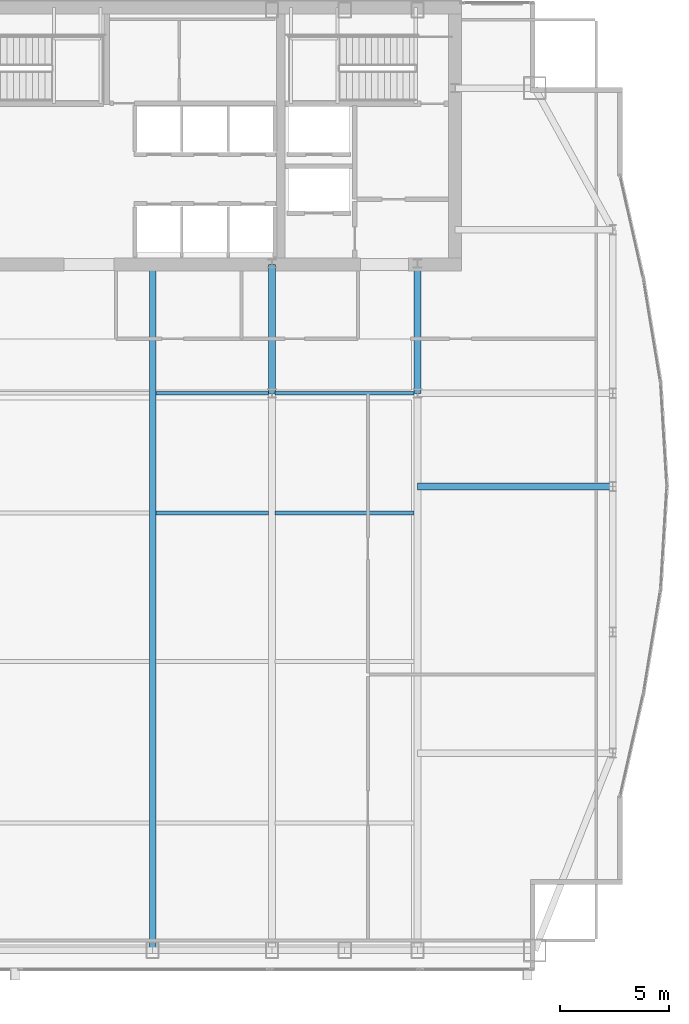
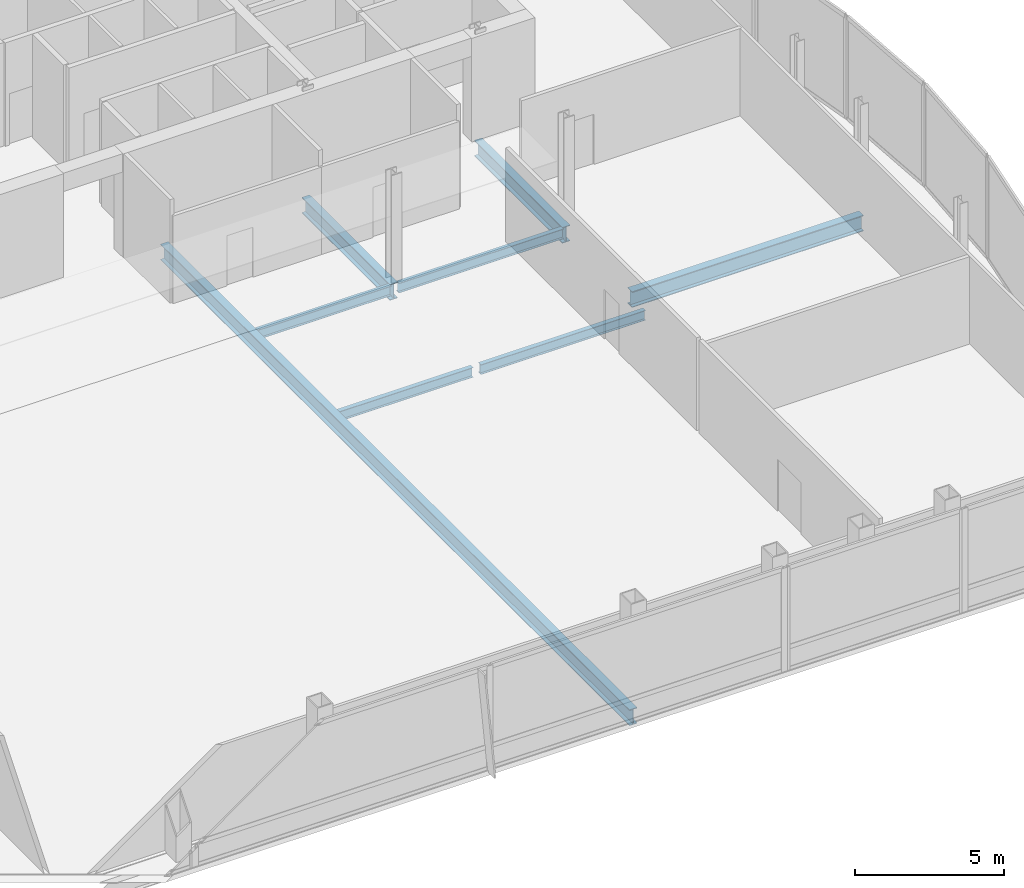
# One storey, part 17 of 28: 8 beams.
"""IFC4 building model written with IfcOpenShell, lengths in metres."""

import ifcopenshell
import ifcopenshell.guid

model = None  # the IFC model being written
_history = None  # IfcOwnerHistory: only IFC2X3 demands one
_inside = {}  # id of a spatial element -> (the spatial element, [elements in it])
_under = {}  # id of a project, library or spatial element -> (it, [spatial elements below it])
_declared = {}  # id of a project -> (the project, [libraries it declares])
_typed = {}  # id of a type object -> (the type object, [elements of that type])
_made_of = {}  # id of a material, layer set ... -> (it, [elements and type objects made of it])


def new_model(schema):
    """Start an empty IFC model of exactly this schema.

    Asked for "IFC4X3", IfcOpenShell would pick the latest addendum, in which some entities
    have other attributes; the version numbers below select the first issue.
    IFC2X3 requires an IfcOwnerHistory on every rooted entity: one is made here for all.
    """
    global model, _history
    if schema == "IFC4X3":
        model = ifcopenshell.file(schema_version=(4, 3, 0, 0))
    else:
        model = ifcopenshell.file(schema=schema)
    _inside.clear()
    _under.clear()
    _declared.clear()
    _typed.clear()
    _made_of.clear()
    _history = None
    if model.schema == "IFC2X3":
        org = make("IfcOrganization", Name="unknown")
        user = make(
            "IfcPersonAndOrganization",
            ThePerson=make("IfcPerson", FamilyName="unknown"),
            TheOrganization=org,
        )
        app = make(
            "IfcApplication",
            ApplicationDeveloper=org,
            Version="unknown",
            ApplicationFullName="unknown",
            ApplicationIdentifier="unknown",
        )
        _history = make(
            "IfcOwnerHistory",
            OwningUser=user,
            OwningApplication=app,
            ChangeAction="ADDED",
            CreationDate=0,
        )
    return model


def make(cls, **values):
    """One entity of the class cls with the attributes given. An attribute that is None is left unset."""
    return model.create_entity(
        cls, **{name: value for name, value in values.items() if value is not None}
    )


def rooted(cls, **values):
    """An entity with a GlobalId (a new one), such as an element, a storey or a relation."""
    return make(cls, GlobalId=ifcopenshell.guid.new(), OwnerHistory=_history, **values)


def si_unit(unit_type, name, prefix=None):
    """IfcSIUnit, for example si_unit("LENGTHUNIT", "METRE", prefix="MILLI")."""
    return make("IfcSIUnit", UnitType=unit_type, Prefix=prefix, Name=name)


def assignment(units):
    """IfcUnitAssignment: the units of a project."""
    return None if units is None else make("IfcUnitAssignment", Units=units)


def point(xyz):
    """IfcCartesianPoint."""
    return None if xyz is None else make("IfcCartesianPoint", Coordinates=xyz)


def direction(xyz):
    """IfcDirection."""
    return None if xyz is None else make("IfcDirection", DirectionRatios=xyz)


def frame(location, z_axis=None, x_axis=None):
    """IfcAxis2Placement3D, a coordinate frame: its origin and axes. An axis left out is left unset."""
    return make(
        "IfcAxis2Placement3D",
        Location=point(location),
        Axis=direction(z_axis),
        RefDirection=direction(x_axis),
    )


def frame_2d(location, x_axis=None):
    """IfcAxis2Placement2D, a coordinate frame in the plane: its origin and x axis."""
    return make(
        "IfcAxis2Placement2D", Location=point(location), RefDirection=direction(x_axis)
    )


def origin():
    """The frame at (0, 0, 0) with its axes left unset."""
    return frame((0.0, 0.0, 0.0))


def origin_2d():
    """The frame at (0, 0) in the plane with its x axis left unset."""
    return frame_2d((0.0, 0.0))


def place(relative_to, where):
    """IfcLocalPlacement: puts the frame where relative to a parent placement (None: the world)."""
    return make(
        "IfcLocalPlacement", PlacementRelTo=relative_to, RelativePlacement=where
    )


def context(
    kind, dimensions, precision=None, world=None, true_north=None, identifier=None
):
    """IfcGeometricRepresentationContext, for example the 3D "Model" context."""
    return make(
        "IfcGeometricRepresentationContext",
        ContextIdentifier=identifier,
        ContextType=kind,
        CoordinateSpaceDimension=dimensions,
        Precision=precision,
        WorldCoordinateSystem=world,
        TrueNorth=true_north,
    )


def subcontext(parent, identifier, kind, view, scale=None):
    """IfcGeometricRepresentationSubContext, for example "Body" below "Model"."""
    return make(
        "IfcGeometricRepresentationSubContext",
        ContextIdentifier=identifier,
        ContextType=kind,
        ParentContext=parent,
        TargetScale=scale,
        TargetView=view,
    )


def project(units=None, contexts=None):
    """IfcProject with its units and contexts."""
    return rooted(
        "IfcProject",
        Name="project",
        RepresentationContexts=contexts,
        UnitsInContext=assignment(units),
    )


def spatial(cls, under=None, at=None, **own):
    """A site, building, storey or space (cls), placed at a placement, below another one or the project."""
    s = rooted(cls, ObjectPlacement=at, **own)
    if under is not None:
        _under.setdefault(under.id(), (under, []))[1].append(s)
    return s


def profile(cls, at=None, kind="AREA", **sizes):
    """A parametric profile (cls). Its sizes go by their IFC names, for example OverallWidth=200.0."""
    return make(cls, ProfileType=kind, Position=at, **sizes)


def i_section(**sizes):
    """IfcIShapeProfileDef."""
    return profile("IfcIShapeProfileDef", **sizes)


def extrude(swept, where, along, depth):
    """IfcExtrudedAreaSolid: the profile swept, set in the frame where, extruded along a direction by depth."""
    return make(
        "IfcExtrudedAreaSolid",
        SweptArea=swept,
        Position=where,
        ExtrudedDirection=direction(along),
        Depth=depth,
    )


def shape(context_of_items, identifier, shape_type, items):
    """IfcShapeRepresentation: the items that make up one representation, for example the "Body"."""
    return make(
        "IfcShapeRepresentation",
        ContextOfItems=context_of_items,
        RepresentationIdentifier=identifier,
        RepresentationType=shape_type,
        Items=items,
    )


def material(Name=None, Category=None):
    """IfcMaterial."""
    return make("IfcMaterial", Name=Name, Category=Category)


def material_profile(
    of_material, cross_section, Name=None, Category=None, Priority=None
):
    """IfcMaterialProfile: a cross section and its material."""
    return make(
        "IfcMaterialProfile",
        Name=Name,
        Material=of_material,
        Profile=cross_section,
        Priority=Priority,
        Category=Category,
    )


def profile_set(profiles, Name=None, composite=None):
    """IfcMaterialProfileSet."""
    return make(
        "IfcMaterialProfileSet",
        Name=Name,
        MaterialProfiles=profiles,
        CompositeProfile=composite,
    )


def made_of(thing, what):
    """Note that an element or type object is made of a material, layer set ...; save() writes the relation."""
    if what is not None:
        _made_of.setdefault(what.id(), (what, []))[1].append(thing)
    return thing


def type_object(cls, material=None, **own):
    """A type object (cls), such as IfcWallType, which elements share."""
    return made_of(rooted(cls, **own), material)


def element(
    cls,
    number,
    at=None,
    inside=None,
    cuts=None,
    type_object=None,
    material=None,
    context=None,
    identifier="Body",
    shape_type=None,
    held_by="IfcProductDefinitionShape",
    body=None,
    shapes=None,
    **own,
):
    """One element of the class cls, such as IfcWall. Its Tag is "e" and its number.

    at: its placement. inside: the storey or other place that contains it. cuts: it is an
    opening in that element (IfcRelVoidsElement). A single representation is given by context,
    identifier, shape_type and body (its items); several are given by shapes. held_by: the class
    of the entity that holds the representations. save() writes the other relations.
    """
    e = rooted(cls, Tag="e%d" % number, ObjectPlacement=at, **own)
    if body is not None:
        shapes = [shape(context, identifier, shape_type, body)]
    if shapes is not None:
        e.Representation = make(held_by, Representations=shapes)
    if inside is not None:
        _inside.setdefault(inside.id(), (inside, []))[1].append(e)
    if cuts is not None:
        rooted(
            "IfcRelVoidsElement", RelatingBuildingElement=cuts, RelatedOpeningElement=e
        )
    if type_object is not None:
        _typed.setdefault(type_object.id(), (type_object, []))[1].append(e)
    return made_of(e, material)


def aggregate(whole, parts):
    """IfcRelAggregates: a whole, such as a stair, and the parts it consists of."""
    return rooted("IfcRelAggregates", RelatingObject=whole, RelatedObjects=parts)


def save(model, path):
    """Write the relations noted so far, then the file.

    IfcRelAggregates (storeys below a building ...), IfcRelContainedInSpatialStructure (elements
    in a storey), IfcRelDefinesByType, IfcRelAssociatesMaterial and IfcRelDeclares: one each for
    every whole, place, type object, material and project.
    """
    for whole, parts in _under.values():
        aggregate(whole, parts)
    for where, things in _inside.values():
        rooted(
            "IfcRelContainedInSpatialStructure",
            RelatedElements=things,
            RelatingStructure=where,
        )
    for kind, things in _typed.values():
        rooted("IfcRelDefinesByType", RelatedObjects=things, RelatingType=kind)
    for what, things in _made_of.values():
        rooted("IfcRelAssociatesMaterial", RelatedObjects=things, RelatingMaterial=what)
    for by, libraries in _declared.values():
        rooted("IfcRelDeclares", RelatingContext=by, RelatedDefinitions=libraries)
    model.write(path)


model = new_model("IFC4")

# Units and contexts
model_context = context("Model", 3, precision=1e-05, world=origin(), true_north=direction((0.0, 1.0)))
body_context = subcontext(model_context, "Body", "Model", "MODEL_VIEW")
ifc_project = project(units=[si_unit("LENGTHUNIT", "METRE"), si_unit("AREAUNIT", "SQUARE_METRE"), si_unit("VOLUMEUNIT", "CUBIC_METRE"), si_unit("PLANEANGLEUNIT", "RADIAN"), si_unit("MASSUNIT", "GRAM", prefix="KILO")], contexts=[model_context])

# Site, building, storey
site_placement = place(None, origin())
site = spatial("IfcSite", under=ifc_project, at=site_placement, CompositionType="ELEMENT")
building_placement = place(site_placement, origin())
building = spatial("IfcBuilding", under=site, at=building_placement, Name="Khoronbel Lancet Exchange", CompositionType="ELEMENT")
storey_placement = place(building_placement, frame((0.0, 0.0, 265.39990234375)))
storey = spatial("IfcBuildingStorey", under=building, at=storey_placement, Name="L68", CompositionType="ELEMENT", Elevation=265.39990234375)

# Beams
ifc_material = material(Name="Steel S355", Category="steel")
ifc_material_profile_1 = material_profile(ifc_material, i_section(OverallWidth=0.300048828125, OverallDepth=0.64990234375, WebThickness=0.01611328125, FlangeThickness=0.031005859375, at=origin_2d()), Name="HEB 650")
ifc_profile_set_1 = profile_set([ifc_material_profile_1], Name="Steel S355")
beam_type_1 = type_object("IfcBeamType", Name="BM-BG4", PredefinedType="BEAM", material=ifc_profile_set_1)
beam_1_placement = place(storey_placement, frame((42.52490234375, 10.14990234375, -0.52490234375), z_axis=(0.0, 1.0, 0.0), x_axis=(-1.0, 0.0, 0.0)))
element("IfcBeam", 1, at=beam_1_placement, inside=storey, type_object=beam_type_1, Name="Level L68 primary floor girder G4", PredefinedType="BEAM", context=body_context, shape_type="SweptSolid", body=[
    extrude(i_section(OverallWidth=0.300048828125, OverallDepth=0.64990234375, WebThickness=0.01611328125, FlangeThickness=0.031005859375, at=origin_2d()), origin(), (0.0, 0.0, 1.0), 31.4501953125),
])
for number, where, z_axis, x_axis, name in (
    (2, (48.0, 35.699951171875, -0.52490234375), (0.0, 1.0, 0.0), (-1.0, 0.0, 0.0), "Level L68 spine tie girder GN5"),
    (3, (54.675048828125, 35.699951171875, -0.52490234375), (0.0, 1.0, 0.0), (-1.0, 0.0, 0.0), "Level L68 spine tie girder GN6"),
):
    element("IfcBeam", number, at=place(storey_placement, frame(where, z_axis=z_axis, x_axis=x_axis)), inside=storey, type_object=beam_type_1, Name=name, PredefinedType="BEAM", context=body_context, shape_type="SweptSolid", body=[
        extrude(i_section(OverallWidth=0.300048828125, OverallDepth=0.64990234375, WebThickness=0.01611328125, FlangeThickness=0.031005859375, at=origin_2d()), origin(), (0.0, 0.0, 1.0), 5.900146484375),
    ])
beam_2_placement = place(storey_placement, frame((54.675048828125, 31.425048828125, -0.52490234375), z_axis=(1.0, 0.0, 0.0), x_axis=(0.0, 1.0, 0.0)))
element("IfcBeam", 4, at=beam_2_placement, inside=storey, type_object=beam_type_1, Name="Level L68 east lens tie girder LG2E", PredefinedType="BEAM", context=body_context, shape_type="SweptSolid", body=[
    extrude(i_section(OverallWidth=0.300048828125, OverallDepth=0.64990234375, WebThickness=0.01611328125, FlangeThickness=0.031005859375, at=origin_2d()), origin(), (0.0, 0.0, 1.0), 8.954833984375),
])
ifc_material_profile_2 = material_profile(ifc_material, i_section(OverallWidth=0.179931640625, OverallDepth=0.39990234375, WebThickness=0.008544921875, FlangeThickness=0.013427734375, at=origin_2d()), Name="IPE 400")
ifc_profile_set_2 = profile_set([ifc_material_profile_2], Name="Steel S355")
beam_type_2 = type_object("IfcBeamType", Name="BM-BJ5", PredefinedType="JOIST", material=ifc_profile_set_2)
beam_3_placement = place(storey_placement, frame((42.675048828125, 30.199951171875, -0.39990234375), z_axis=(1.0, 0.0, 0.0), x_axis=(0.0, 1.0, 0.0)))
element("IfcBeam", 5, at=beam_3_placement, inside=storey, type_object=beam_type_2, Name="Level L68 secondary composite joist J14", PredefinedType="JOIST", context=body_context, shape_type="SweptSolid", body=[
    extrude(i_section(OverallWidth=0.179931640625, OverallDepth=0.39990234375, WebThickness=0.008544921875, FlangeThickness=0.013427734375, at=origin_2d()), origin(), (0.0, 0.0, 1.0), 5.175048828125),
])
beam_4_placement = place(storey_placement, frame((48.14990234375, 30.199951171875, -0.39990234375), z_axis=(1.0, 0.0, 0.0), x_axis=(0.0, 1.0, 0.0)))
element("IfcBeam", 6, at=beam_4_placement, inside=storey, type_object=beam_type_2, Name="Level L68 secondary composite joist J15", PredefinedType="JOIST", context=body_context, shape_type="SweptSolid", body=[
    extrude(i_section(OverallWidth=0.179931640625, OverallDepth=0.39990234375, WebThickness=0.008544921875, FlangeThickness=0.013427734375, at=origin_2d()), origin(), (0.0, 0.0, 1.0), 6.375),
])
beam_5_placement = place(storey_placement, frame((42.675048828125, 35.699951171875, -0.39990234375), z_axis=(1.0, 0.0, 0.0), x_axis=(0.0, 1.0, 0.0)))
element("IfcBeam", 7, at=beam_5_placement, inside=storey, type_object=beam_type_2, Name="Level L68 secondary composite joist J19", PredefinedType="JOIST", context=body_context, shape_type="SweptSolid", body=[
    extrude(i_section(OverallWidth=0.179931640625, OverallDepth=0.39990234375, WebThickness=0.008544921875, FlangeThickness=0.013427734375, at=origin_2d()), origin(), (0.0, 0.0, 1.0), 5.175048828125),
])
beam_6_placement = place(storey_placement, frame((48.14990234375, 35.699951171875, -0.39990234375), z_axis=(1.0, 0.0, 0.0), x_axis=(0.0, 1.0, 0.0)))
element("IfcBeam", 8, at=beam_6_placement, inside=storey, type_object=beam_type_2, Name="Level L68 secondary composite joist J20", PredefinedType="JOIST", context=body_context, shape_type="SweptSolid", body=[
    extrude(i_section(OverallWidth=0.179931640625, OverallDepth=0.39990234375, WebThickness=0.008544921875, FlangeThickness=0.013427734375, at=origin_2d()), origin(), (0.0, 0.0, 1.0), 6.375),
])

save(model, "model.ifc")
